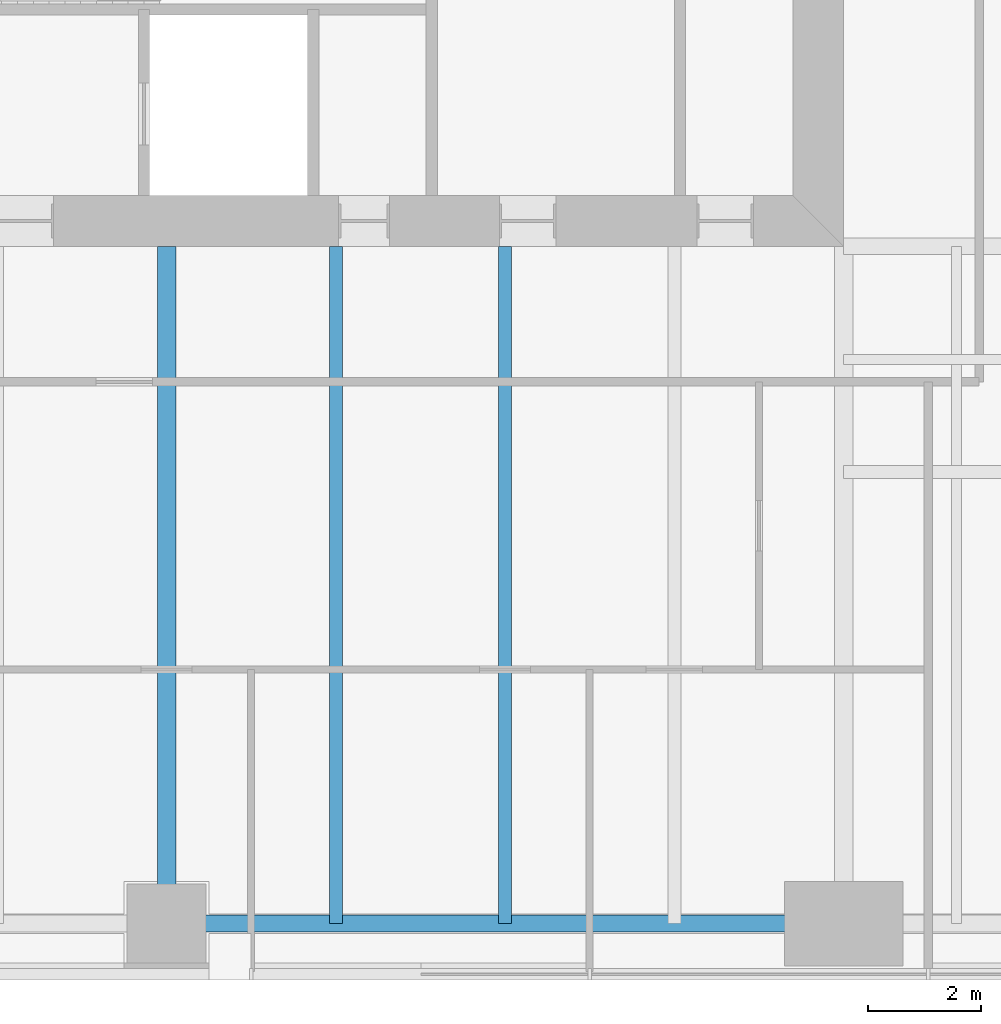
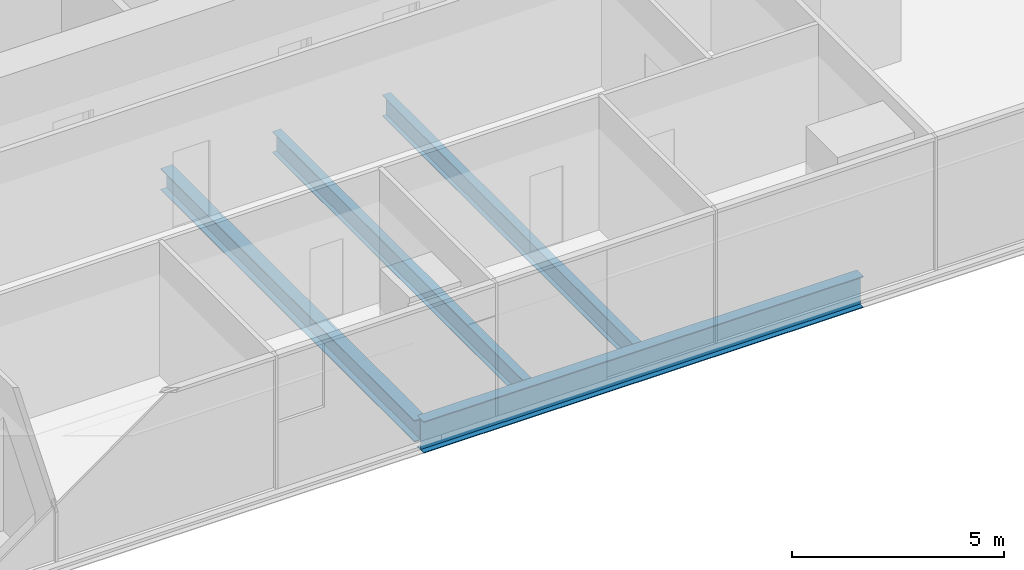
# One storey, part 3 of 13: 4 beams.
"""IFC4 building model written with IfcOpenShell, lengths in metres."""

from ifc_helpers import new_model, si_unit, direction, frame, origin, origin_2d, place, context, subcontext, project, spatial, i_section, extrude, material, material_profile, profile_set, type_object, element, save


model = new_model("IFC4")

# Units and contexts
model_context = context("Model", 3, precision=1e-05, world=origin(), true_north=direction((0.0, 1.0)))
body_context = subcontext(model_context, "Body", "Model", "MODEL_VIEW")
ifc_project = project(units=[si_unit("LENGTHUNIT", "METRE"), si_unit("AREAUNIT", "SQUARE_METRE"), si_unit("VOLUMEUNIT", "CUBIC_METRE"), si_unit("PLANEANGLEUNIT", "RADIAN"), si_unit("MASSUNIT", "GRAM", prefix="KILO")], contexts=[model_context])

# Site, building, storey
site_placement = place(None, origin())
site = spatial("IfcSite", under=ifc_project, at=site_placement, CompositionType="ELEMENT")
building_placement = place(site_placement, origin())
building = spatial("IfcBuilding", under=site, at=building_placement, Name="Fenwick Lantern Interchange", CompositionType="ELEMENT")
storey_placement = place(building_placement, frame((0.0, 0.0, 110.39990234375)))
storey = spatial("IfcBuildingStorey", under=building, at=storey_placement, Name="L25", CompositionType="ELEMENT", Elevation=110.39990234375)

# Beams
ifc_material = material(Name="Steel ASTM A992 Grade 50", Category="steel")
ifc_material_profile_1 = material_profile(ifc_material, i_section(OverallWidth=0.3046875, OverallDepth=0.911865234375, WebThickness=0.015869140625, FlangeThickness=0.02392578125, at=origin_2d()), Name="W36X150")
ifc_profile_set_1 = profile_set([ifc_material_profile_1], Name="Steel ASTM A992 Grade 50")
beam_type_1 = type_object("IfcBeamType", Name="EDGE BEAM W36X150", PredefinedType="SPANDREL", material=ifc_profile_set_1)
beam_1_placement = place(storey_placement, frame((25.0, 1.0, -0.605712890625), z_axis=(1.0, 0.0, 0.0), x_axis=(0.0, 1.0, 0.0)))
element("IfcBeam", 1, at=beam_1_placement, inside=storey, type_object=beam_type_1, Name="L25/FR/S/EB3", PredefinedType="SPANDREL", context=body_context, shape_type="SweptSolid", body=[
    extrude(i_section(OverallWidth=0.3046875, OverallDepth=0.911865234375, WebThickness=0.015869140625, FlangeThickness=0.02392578125, at=origin_2d()), origin(), (0.0, 0.0, 1.0), 12.0),
])
ifc_material_profile_2 = material_profile(ifc_material, i_section(OverallWidth=0.22900390625, OverallDepth=0.612060546875, WebThickness=0.011962890625, FlangeThickness=0.01953125, at=origin_2d()), Name="W24X84")
ifc_profile_set_2 = profile_set([ifc_material_profile_2], Name="Steel ASTM A992 Grade 50")
beam_type_2 = type_object("IfcBeamType", Name="FLOOR BEAM W24X84", PredefinedType="BEAM", material=ifc_profile_set_2)
for number, where, z_axis, x_axis, name in (
    (2, (28.0, 1.0, -0.4560546875), (0.0, 1.0, 0.0), (-1.0, 0.0, 0.0), "L25/FR/S/R06"),
    (3, (31.0, 1.0, -0.4560546875), (0.0, 1.0, 0.0), (-1.0, 0.0, 0.0), "L25/FR/S/R07"),
):
    element("IfcBeam", number, at=place(storey_placement, frame(where, z_axis=z_axis, x_axis=x_axis)), inside=storey, type_object=beam_type_2, Name=name, PredefinedType="BEAM", context=body_context, shape_type="SweptSolid", body=[
        extrude(i_section(OverallWidth=0.22900390625, OverallDepth=0.612060546875, WebThickness=0.011962890625, FlangeThickness=0.01953125, at=origin_2d()), origin(), (0.0, 0.0, 1.0), 12.0),
    ])
ifc_material_profile_3 = material_profile(ifc_material, i_section(OverallWidth=0.32763671875, OverallDepth=0.622314453125, WebThickness=0.015380859375, FlangeThickness=0.0244140625, at=origin_2d()), Name="W24X131")
ifc_profile_set_3 = profile_set([ifc_material_profile_3], Name="Steel ASTM A992 Grade 50")
beam_type_3 = type_object("IfcBeamType", Name="MOMENT-CONNECTED GIRDER W24X131", PredefinedType="BEAM", material=ifc_profile_set_3)
beam_2_placement = place(storey_placement, frame((25.0, 1.0, -0.4609375), z_axis=(0.0, 1.0, 0.0), x_axis=(-1.0, 0.0, 0.0)))
element("IfcBeam", 4, at=beam_2_placement, inside=storey, type_object=beam_type_3, Name="L25/FR/S/R05", PredefinedType="BEAM", context=body_context, shape_type="SweptSolid", body=[
    extrude(i_section(OverallWidth=0.32763671875, OverallDepth=0.622314453125, WebThickness=0.015380859375, FlangeThickness=0.0244140625, at=origin_2d()), origin(), (0.0, 0.0, 1.0), 12.0),
])

save(model, "model.ifc")
